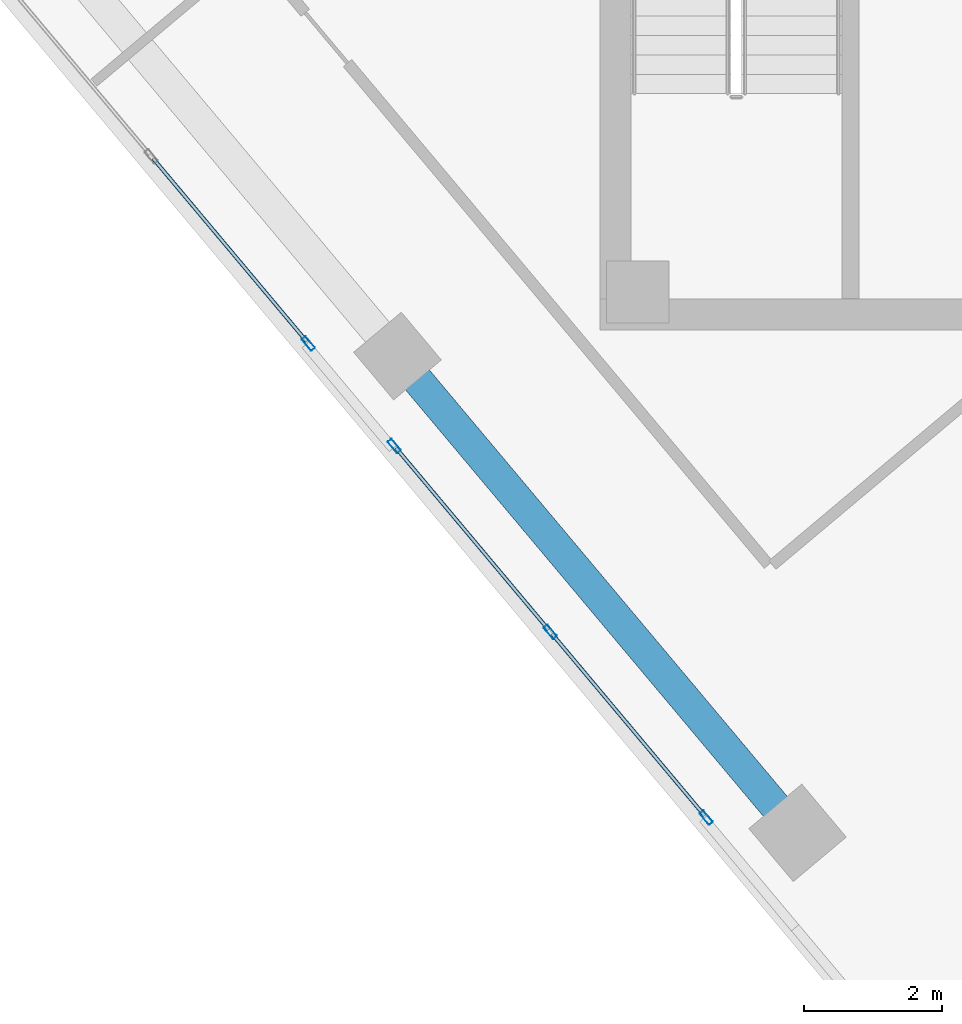
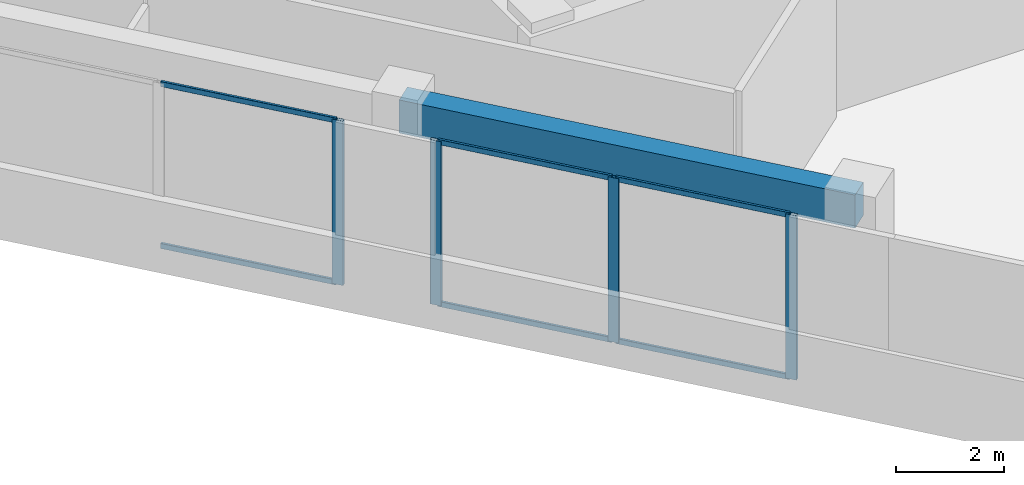
# One storey, part 2 of 17: 10 members, 1 beam, 2 elements without a shape of their own.
"""IFC4 building model written with IfcOpenShell, lengths in metres."""

from ifc_helpers import new_model, si_unit, direction, frame, origin, origin_2d, place, context, subcontext, project, spatial, rectangle, hollow_rectangle, extrude, source, transform, mapped, material, material_profile, profile_set, type_object, element, aggregate, save


model = new_model("IFC4")

# Units and contexts
model_context = context("Model", 3, precision=1e-05, world=origin(), true_north=direction((0.0, 1.0)))
body_context = subcontext(model_context, "Body", "Model", "MODEL_VIEW")
ifc_project = project(units=[si_unit("LENGTHUNIT", "METRE"), si_unit("AREAUNIT", "SQUARE_METRE"), si_unit("VOLUMEUNIT", "CUBIC_METRE"), si_unit("PLANEANGLEUNIT", "RADIAN"), si_unit("MASSUNIT", "GRAM", prefix="KILO")], contexts=[model_context])

# Site, building, storey
site_placement = place(None, origin())
site = spatial("IfcSite", under=ifc_project, at=site_placement, CompositionType="ELEMENT")
building_placement = place(site_placement, origin())
building = spatial("IfcBuilding", under=site, at=building_placement, Name="Torre Montelarca", CompositionType="ELEMENT")
storey_placement = place(building_placement, frame((0.0, 0.0, 271.0)))
storey = spatial("IfcBuildingStorey", under=building, at=storey_placement, Name="L61", CompositionType="ELEMENT", Elevation=271.0)

# Beam
ifc_material_1 = material(Name="Concrete C55/67", Category="concrete")
ifc_material_profile_1 = material_profile(ifc_material_1, rectangle(XDim=0.449951171875, YDim=0.75, at=origin_2d()), Name="RCB450X750", Category="concrete")
ifc_profile_set_1 = profile_set([ifc_material_profile_1], Name="Concrete C55/67")
beam_type = type_object("IfcBeamType", Name="BM-SP-RC750-EXT", PredefinedType="SPANDREL", material=ifc_profile_set_1)
shared_shape_1 = source(origin(), body_context, "Body", "SweptSolid", [
    extrude(rectangle(XDim=0.449951171875, YDim=0.75, at=origin_2d()), origin(), (0.0, 0.0, 1.0), 9.000244140625),
])
beam_placement = place(storey_placement, frame((6.07421875, 23.625244140625, 3.5849609375), z_axis=(0.642784846501, -0.766046761698, 0.0), x_axis=(0.766046761698, 0.642784846501, 0.0)))
element("IfcBeam", 1, at=beam_placement, inside=storey, type_object=beam_type, Name="L61 Grid Girder X 18.0-27.0 at Y=14.8", PredefinedType="SPANDREL", context=body_context, shape_type="MappedRepresentation", body=[
    mapped(shared_shape_1, transform((0.0, 0.0, 0.0), scale=1.0)),
])

# Curtain wall, member
ifc_material_2 = material(Name="Insulated low-E laminated glass", Category="glass")
curtain_wall_type = type_object("IfcCurtainWallType", Name="CW-SYS-Z3", PredefinedType="USERDEFINED", material=ifc_material_2)
curtain_wall_1_placement = place(storey_placement, origin())
curtain_wall_1 = element("IfcCurtainWall", 2, at=curtain_wall_1_placement, inside=storey, type_object=curtain_wall_type, Name="L61 Curtain Wall Run CW-T3-L61-E01-B1", ObjectType="UNITISED GLAZING", PredefinedType="USERDEFINED")
ifc_material_3 = material(Name="Anodised aluminium AA 6063-T6", Category="aluminium")
ifc_material_profile_2 = material_profile(ifc_material_3, hollow_rectangle(XDim=0.074951171875, YDim=0.219970703125, WallThickness=0.0048828125, InnerFilletRadius=0.0048828125, OuterFilletRadius=0.010009765625, at=origin_2d()), Name="ALU75X220X5", Category="aluminium")
ifc_profile_set_2 = profile_set([ifc_material_profile_2], Name="Anodised aluminium AA 6063-T6")
member_type_1 = type_object("IfcMemberType", Name="CWM-ALU220", PredefinedType="MULLION", material=ifc_profile_set_2)
shared_shape_2 = source(origin(), body_context, "Body", "SweptSolid", [
    extrude(hollow_rectangle(XDim=0.074951171875, YDim=0.219970703125, WallThickness=0.0048828125, InnerFilletRadius=0.0048828125, OuterFilletRadius=0.010009765625, at=origin_2d()), origin(), (0.0, 0.0, 1.0), 3.719970703125),
])
member_1_placement = place(storey_placement, frame((4.785888671875, 23.80712890625, 0.0), z_axis=(0.0, 0.0, 1.0), x_axis=(0.766041369551, 0.642791272604, 0.0)))
member_1 = element("IfcMember", 3, at=member_1_placement, type_object=member_type_1, Name="CW mullion 3", PredefinedType="MULLION", context=body_context, shape_type="MappedRepresentation", body=[
    mapped(shared_shape_2, transform((0.0, 0.0, 0.0), scale=1.0)),
])

# Curtain wall, members
curtain_wall_2_placement = place(storey_placement, origin())
curtain_wall_2 = element("IfcCurtainWall", 4, at=curtain_wall_2_placement, inside=storey, type_object=curtain_wall_type, Name="L61 Curtain Wall Run CW-T3-L61-E01-B2", ObjectType="UNITISED GLAZING", PredefinedType="USERDEFINED")
member_2_placement = place(storey_placement, frame((6.02978515625, 22.32470703125, 0.0), z_axis=(0.0, 0.0, 1.0), x_axis=(0.766038742354, 0.642794403532, 0.0)))
member_2 = element("IfcMember", 5, at=member_2_placement, type_object=member_type_1, Name="CW mullion 1", PredefinedType="MULLION", context=body_context, shape_type="MappedRepresentation", body=[
    mapped(shared_shape_2, transform((0.0, 0.0, 0.0), scale=1.0)),
])
member_3_placement = place(storey_placement, frame((8.2841796875, 19.637939453125, 0.0), z_axis=(0.0, 0.0, 1.0), x_axis=(0.766038742354, 0.642794403532, 0.0)))
member_3 = element("IfcMember", 6, at=member_3_placement, type_object=member_type_1, Name="CW mullion 2", PredefinedType="MULLION", context=body_context, shape_type="MappedRepresentation", body=[
    mapped(shared_shape_2, transform((0.0, 0.0, 0.0), scale=1.0)),
])
member_4_placement = place(storey_placement, frame((10.538818359375, 16.950927734375, 0.0), z_axis=(0.0, 0.0, 1.0), x_axis=(0.766038742354, 0.642794403532, 0.0)))
member_4 = element("IfcMember", 7, at=member_4_placement, type_object=member_type_1, Name="CW mullion 3", PredefinedType="MULLION", context=body_context, shape_type="MappedRepresentation", body=[
    mapped(shared_shape_2, transform((0.0, 0.0, 0.0), scale=1.0)),
])
ifc_material_profile_3 = material_profile(ifc_material_3, hollow_rectangle(XDim=0.054931640625, YDim=0.1201171875, WallThickness=0.00341796875, InnerFilletRadius=0.00341796875, OuterFilletRadius=0.007080078125, at=origin_2d()), Name="ALU55X120X3.5", Category="aluminium")
ifc_profile_set_3 = profile_set([ifc_material_profile_3], Name="Anodised aluminium AA 6063-T6")
member_type_2 = type_object("IfcMemberType", Name="CWT-ALU120", PredefinedType="USERDEFINED", material=ifc_profile_set_3)
shared_shape_3 = source(origin(), body_context, "Body", "SweptSolid", [
    extrude(hollow_rectangle(XDim=0.054931640625, YDim=0.1201171875, WallThickness=0.00341796875, InnerFilletRadius=0.00341796875, OuterFilletRadius=0.007080078125, at=origin_2d()), origin(), (0.0, 0.0, 1.0), 3.4326171875),
])
member_5_placement = place(storey_placement, frame((6.0537109375, 22.296142578125, 0.027587890625), z_axis=(0.642825046465, -0.766013028373, 0.0), x_axis=(0.766013028373, 0.642825046465, 0.0)))
member_5 = element("IfcMember", 8, at=member_5_placement, type_object=member_type_2, Name="CW transom 1.1", ObjectType="TRANSOM", PredefinedType="USERDEFINED", context=body_context, shape_type="MappedRepresentation", body=[
    mapped(shared_shape_3, transform((0.0, 0.0, 0.0), scale=1.0)),
])
member_6_placement = place(storey_placement, frame((6.0537109375, 22.296142578125, 3.6923828125), z_axis=(0.642825046465, -0.766013028373, 0.0), x_axis=(0.766013028373, 0.642825046465, 0.0)))
member_6 = element("IfcMember", 9, at=member_6_placement, type_object=member_type_2, Name="CW transom 1.2", ObjectType="TRANSOM", PredefinedType="USERDEFINED", context=body_context, shape_type="MappedRepresentation", body=[
    mapped(shared_shape_3, transform((0.0, 0.0, 0.0), scale=1.0)),
])
member_7_placement = place(storey_placement, frame((8.308349609375, 19.609130859375, 0.027587890625), z_axis=(0.642825046465, -0.766013028373, 0.0), x_axis=(0.766013028373, 0.642825046465, 0.0)))
member_7 = element("IfcMember", 10, at=member_7_placement, type_object=member_type_2, Name="CW transom 2.1", ObjectType="TRANSOM", PredefinedType="USERDEFINED", context=body_context, shape_type="MappedRepresentation", body=[
    mapped(shared_shape_3, transform((0.0, 0.0, 0.0), scale=1.0)),
])
member_8_placement = place(storey_placement, frame((8.308349609375, 19.609130859375, 3.6923828125), z_axis=(0.642825046465, -0.766013028373, 0.0), x_axis=(0.766013028373, 0.642825046465, 0.0)))
member_8 = element("IfcMember", 11, at=member_8_placement, type_object=member_type_2, Name="CW transom 2.2", ObjectType="TRANSOM", PredefinedType="USERDEFINED", context=body_context, shape_type="MappedRepresentation", body=[
    mapped(shared_shape_3, transform((0.0, 0.0, 0.0), scale=1.0)),
])
aggregate(curtain_wall_2, [member_2, member_3, member_4, member_5, member_6, member_7, member_8])

# Member
shared_shape_4 = source(origin(), body_context, "Body", "SweptSolid", [
    extrude(hollow_rectangle(XDim=0.054931640625, YDim=0.1201171875, WallThickness=0.00341796875, InnerFilletRadius=0.00341796875, OuterFilletRadius=0.007080078125, at=origin_2d()), origin(), (0.0, 0.0, 1.0), 3.457275390625),
])
member_9_placement = place(storey_placement, frame((2.539306640625, 26.484375, 0.027587890625), z_axis=(0.64280614081, -0.766028893278, 0.0), x_axis=(0.766028893278, 0.64280614081, 0.0)))
member_9 = element("IfcMember", 12, at=member_9_placement, type_object=member_type_2, Name="CW transom 2.1", ObjectType="TRANSOM", PredefinedType="USERDEFINED", context=body_context, shape_type="MappedRepresentation", body=[
    mapped(shared_shape_4, transform((0.0, 0.0, 0.0), scale=1.0)),
])

member_10_placement = place(storey_placement, frame((2.539306640625, 26.484375, 3.6923828125), z_axis=(0.64280614081, -0.766028893278, 0.0), x_axis=(0.766028893278, 0.64280614081, 0.0)))
member_10 = element("IfcMember", 13, at=member_10_placement, type_object=member_type_2, Name="CW transom 2.2", ObjectType="TRANSOM", PredefinedType="USERDEFINED", context=body_context, shape_type="MappedRepresentation", body=[
    mapped(shared_shape_4, transform((0.0, 0.0, 0.0), scale=1.0)),
])

aggregate(curtain_wall_1, [member_1, member_9, member_10])

save(model, "model.ifc")
